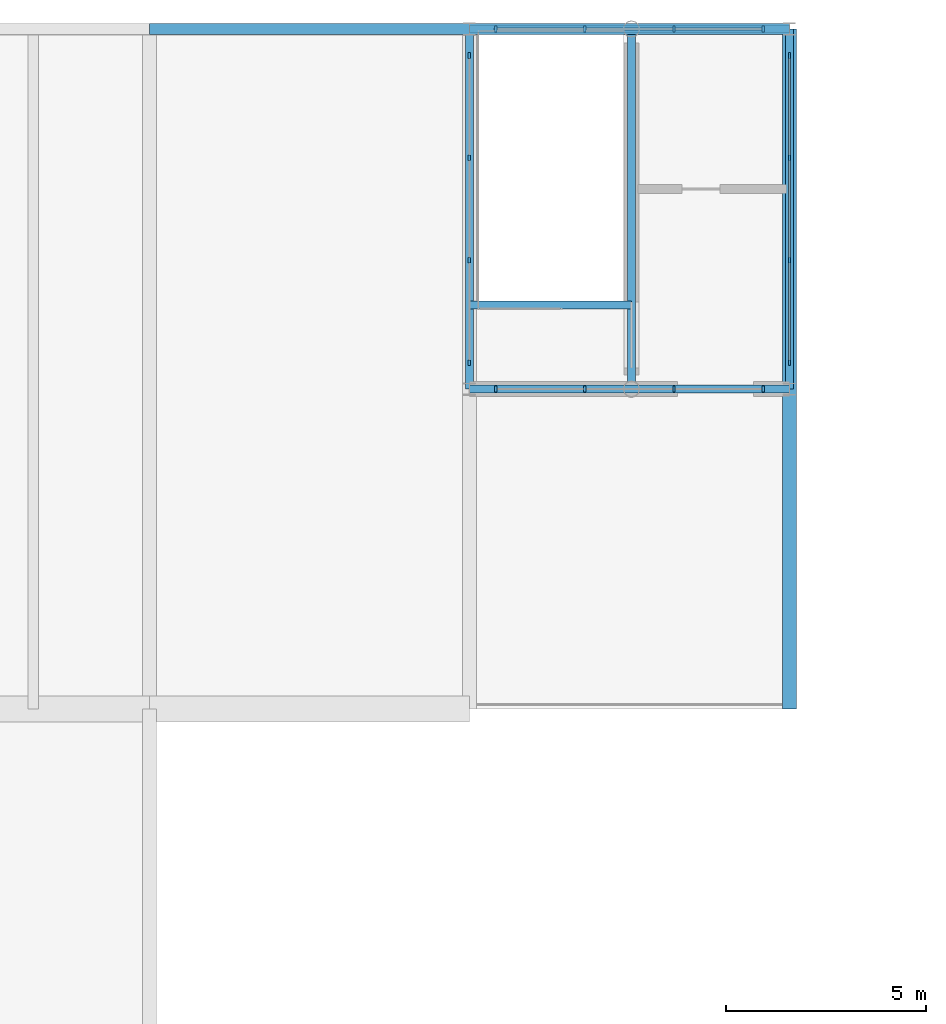
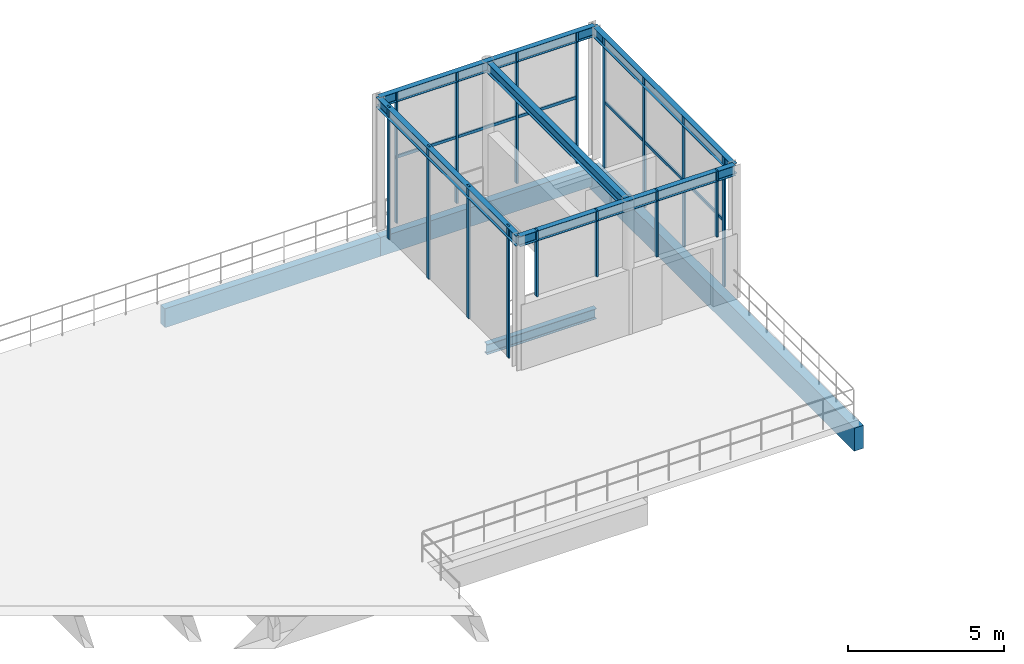
# One storey, part 26 of 50: 18 members, 9 beams, 4 elements without a shape of their own.
"""IFC4 building model written with IfcOpenShell, lengths in metres."""

from ifc_helpers import new_model, si_unit, derived_unit, direction, frame, origin, origin_2d, place, context, subcontext, project, spatial, rectangle, i_section, extrude, material, layer, layer_set, material_profile, profile_set, type_object, element, aggregate, save


model = new_model("IFC4")

# Units and contexts
model_context = context("Model", 3, precision=1e-05, world=origin(), true_north=direction((0.0, 1.0)))
body_context = subcontext(model_context, "Body", "Model", "MODEL_VIEW")
ifc_project = project(units=[si_unit("LENGTHUNIT", "METRE"), si_unit("AREAUNIT", "SQUARE_METRE"), si_unit("VOLUMEUNIT", "CUBIC_METRE"), si_unit("PLANEANGLEUNIT", "RADIAN"), si_unit("MASSUNIT", "GRAM", prefix="KILO"), si_unit("THERMODYNAMICTEMPERATUREUNIT", "KELVIN"), derived_unit("THERMALTRANSMITTANCEUNIT", [(si_unit("POWERUNIT", "WATT"), 1), (si_unit("AREAUNIT", "SQUARE_METRE"), -1), (si_unit("THERMODYNAMICTEMPERATUREUNIT", "KELVIN"), -1)])], contexts=[model_context])

# Site, building, storey
site_placement = place(None, origin())
site = spatial("IfcSite", under=ifc_project, at=site_placement, CompositionType="ELEMENT")
building_placement = place(site_placement, origin())
building = spatial("IfcBuilding", under=site, at=building_placement, Name="Haiyu Intermodal Mobility Hub", CompositionType="ELEMENT")
storey_placement = place(building_placement, frame((0.0, 0.0, 25.10009765625)))
storey = spatial("IfcBuildingStorey", under=building, at=storey_placement, Name="L06", CompositionType="ELEMENT", Elevation=25.10009765625)

# Beams
ifc_material_1 = material(Name="Steel Q355C", Category="steel")
ifc_material_profile_1 = material_profile(ifc_material_1, i_section(OverallWidth=0.199951171875, OverallDepth=0.39990234375, WebThickness=0.008056640625, FlangeThickness=0.012939453125, FilletRadius=0.01611328125, at=origin_2d()), Name="HN400x200x8x13")
ifc_profile_set_1 = profile_set([ifc_material_profile_1], Name="Steel Q355C")
beam_type_1 = type_object("IfcBeamType", Name="BM-SB08", PredefinedType="JOIST", material=ifc_profile_set_1)
beam_1_placement = place(storey_placement, frame((154.0, 141.10009765625, -0.525146484375), z_axis=(1.0, 0.0, 0.0), x_axis=(0.0, 1.0, 0.0)))
element("IfcBeam", 1, at=beam_1_placement, inside=storey, type_object=beam_type_1, Name="Stair Arrival Trimmer Beam C4-L05", PredefinedType="JOIST", context=body_context, shape_type="SweptSolid", body=[
    extrude(i_section(OverallWidth=0.199951171875, OverallDepth=0.39990234375, WebThickness=0.008056640625, FlangeThickness=0.012939453125, FilletRadius=0.01611328125, at=origin_2d()), origin(), (0.0, 0.0, 1.0), 4.050048828125),
])
ifc_material_profile_2 = material_profile(ifc_material_1, i_section(OverallWidth=0.199951171875, OverallDepth=0.39990234375, WebThickness=0.008056640625, FlangeThickness=0.012939453125, FilletRadius=0.01611328125, at=origin_2d()), Name="HN400x200x8x13")
ifc_profile_set_2 = profile_set([ifc_material_profile_2], Name="Steel Q355C")
beam_type_2 = type_object("IfcBeamType", Name="BM-SB08-EXT", PredefinedType="JOIST", material=ifc_profile_set_2)
beam_2_placement = place(storey_placement, frame((154.0, 139.0, 4.97998046875), z_axis=(1.0, 0.0, 0.0), x_axis=(0.0, 1.0, 0.0)))
element("IfcBeam", 2, at=beam_2_placement, inside=storey, type_object=beam_type_2, Name="BM-CORERF-006", PredefinedType="JOIST", context=body_context, shape_type="SweptSolid", body=[
    extrude(i_section(OverallWidth=0.199951171875, OverallDepth=0.39990234375, WebThickness=0.008056640625, FlangeThickness=0.012939453125, FilletRadius=0.01611328125, at=origin_2d()), origin(), (0.0, 0.0, 1.0), 8.0),
])
beam_3_placement = place(storey_placement, frame((162.0, 139.0, 4.97998046875), z_axis=(0.0, 1.0, 0.0), x_axis=(-1.0, 0.0, 0.0)))
element("IfcBeam", 3, at=beam_3_placement, inside=storey, type_object=beam_type_2, Name="BM-CORERF-007", PredefinedType="JOIST", context=body_context, shape_type="SweptSolid", body=[
    extrude(i_section(OverallWidth=0.199951171875, OverallDepth=0.39990234375, WebThickness=0.008056640625, FlangeThickness=0.012939453125, FilletRadius=0.01611328125, at=origin_2d()), origin(), (0.0, 0.0, 1.0), 9.0),
])
beam_4_placement = place(storey_placement, frame((162.0, 148.0, 4.97998046875), z_axis=(-1.0, 0.0, 0.0), x_axis=(0.0, -1.0, 0.0)))
element("IfcBeam", 4, at=beam_4_placement, inside=storey, type_object=beam_type_2, Name="BM-CORERF-008", PredefinedType="JOIST", context=body_context, shape_type="SweptSolid", body=[
    extrude(i_section(OverallWidth=0.199951171875, OverallDepth=0.39990234375, WebThickness=0.008056640625, FlangeThickness=0.012939453125, FilletRadius=0.01611328125, at=origin_2d()), origin(), (0.0, 0.0, 1.0), 8.0),
])
for number, where, z_axis, x_axis, name in (
    (5, (154.0, 148.0, 4.97998046875), (0.0, -1.0, 0.0), (1.0, 0.0, 0.0), "BM-CORERF-009"),
    (6, (158.050048828125, 139.0, 4.97998046875), (0.0, 1.0, 0.0), (-1.0, 0.0, 0.0), "BM-CORERF-010"),
):
    element("IfcBeam", number, at=place(storey_placement, frame(where, z_axis=z_axis, x_axis=x_axis)), inside=storey, type_object=beam_type_2, Name=name, PredefinedType="JOIST", context=body_context, shape_type="SweptSolid", body=[
        extrude(i_section(OverallWidth=0.199951171875, OverallDepth=0.39990234375, WebThickness=0.008056640625, FlangeThickness=0.012939453125, FilletRadius=0.01611328125, at=origin_2d()), origin(), (0.0, 0.0, 1.0), 9.0),
    ])
ifc_material_2 = material(Name="Precast concrete C40", Category="concrete")
ifc_material_profile_3 = material_profile(ifc_material_2, rectangle(XDim=0.340087890625, YDim=0.89990234375, at=origin_2d()), Name="B340x900")
ifc_profile_set_3 = profile_set([ifc_material_profile_3], Name="Precast concrete C40")
beam_type_3 = type_object("IfcBeamType", Name="BM-SP04", PredefinedType="SPANDREL", material=ifc_profile_set_3)
beam_5_placement = place(storey_placement, frame((162.0, 131.0, -0.72998046875), z_axis=(0.0, 1.0, 0.0), x_axis=(-1.0, 0.0, 0.0)))
element("IfcBeam", 7, at=beam_5_placement, inside=storey, type_object=beam_type_3, Name="BM-V4E-L06-016", PredefinedType="SPANDREL", context=body_context, shape_type="SweptSolid", body=[
    extrude(rectangle(XDim=0.340087890625, YDim=0.89990234375, at=origin_2d()), origin(), (0.0, 0.0, 1.0), 17.0),
])
ifc_material_profile_4 = material_profile(ifc_material_2, rectangle(XDim=0.280029296875, YDim=0.739990234375, at=origin_2d()), Name="B280x740")
ifc_profile_set_4 = profile_set([ifc_material_profile_4], Name="Precast concrete C40")
beam_type_4 = type_object("IfcBeamType", Name="BM-SP05", PredefinedType="SPANDREL", material=ifc_profile_set_4)
for number, where, z_axis, x_axis, name in (
    (8, (146.0, 148.0, -0.650146484375), (1.0, 0.0, 0.0), (0.0, 1.0, 0.0), "BM-V4G-L06-055"),
    (9, (154.0, 148.0, -0.650146484375), (1.0, 0.0, 0.0), (0.0, 1.0, 0.0), "BM-V4G-L06-056"),
):
    element("IfcBeam", number, at=place(storey_placement, frame(where, z_axis=z_axis, x_axis=x_axis)), inside=storey, type_object=beam_type_4, Name=name, PredefinedType="SPANDREL", context=body_context, shape_type="SweptSolid", body=[
        extrude(rectangle(XDim=0.280029296875, YDim=0.739990234375, at=origin_2d()), origin(), (0.0, 0.0, 1.0), 8.0),
    ])

# Curtain wall, members
ifc_material_3 = material(Name="Low-e laminated insulating glass", Category="glass")
ifc_layer = layer(ifc_material_3, 0.199951171875)
ifc_layer_set = layer_set([ifc_layer], Name="Low-e laminated insulating glass")
curtain_wall_type = type_object("IfcCurtainWallType", Name="CW-CW03", PredefinedType="NOTDEFINED", material=ifc_layer_set)
curtain_wall_1_placement = place(storey_placement, origin())
curtain_wall_1 = element("IfcCurtainWall", 10, at=curtain_wall_1_placement, inside=storey, type_object=curtain_wall_type, Name="Curtain Wall CW-C4N-L06-075", PredefinedType="NOTDEFINED")
ifc_material_4 = material(Name="Anodised aluminium 6063-T6", Category="aluminium")
ifc_material_profile_5 = material_profile(ifc_material_4, rectangle(XDim=0.06005859375, YDim=0.14501953125, at=origin_2d()), Name="ALU60x145")
ifc_profile_set_5 = profile_set([ifc_material_profile_5], Name="Anodised aluminium 6063-T6")
member_type_1 = type_object("IfcMemberType", Name="CWM-ML03", PredefinedType="MULLION", material=ifc_profile_set_5)
member_1_placement = place(storey_placement, frame((161.340087890625, 148.0, 0.0), z_axis=(0.0, 0.0, 1.0), x_axis=(1.0, 0.0, 0.0)))
member_1 = element("IfcMember", 11, at=member_1_placement, type_object=member_type_1, Name="CW-C4N-L06-075-ML01", PredefinedType="MULLION", context=body_context, shape_type="SweptSolid", body=[
    extrude(rectangle(XDim=0.06005859375, YDim=0.14501953125, at=origin_2d()), origin(), (0.0, 0.0, 1.0), 5.14990234375),
])
member_2_placement = place(storey_placement, frame((159.113037109375, 148.0, 0.0), z_axis=(0.0, 0.0, 1.0), x_axis=(1.0, 0.0, 0.0)))
member_2 = element("IfcMember", 12, at=member_2_placement, type_object=member_type_1, Name="CW-C4N-L06-075-ML02", PredefinedType="MULLION", context=body_context, shape_type="SweptSolid", body=[
    extrude(rectangle(XDim=0.06005859375, YDim=0.14501953125, at=origin_2d()), origin(), (0.0, 0.0, 1.0), 5.14990234375),
])
member_3_placement = place(storey_placement, frame((156.886962890625, 148.0, 0.0), z_axis=(0.0, 0.0, 1.0), x_axis=(1.0, 0.0, 0.0)))
member_3 = element("IfcMember", 13, at=member_3_placement, type_object=member_type_1, Name="CW-C4N-L06-075-ML03", PredefinedType="MULLION", context=body_context, shape_type="SweptSolid", body=[
    extrude(rectangle(XDim=0.06005859375, YDim=0.14501953125, at=origin_2d()), origin(), (0.0, 0.0, 1.0), 5.14990234375),
])
member_4_placement = place(storey_placement, frame((154.659912109375, 148.0, 0.0), z_axis=(0.0, 0.0, 1.0), x_axis=(1.0, 0.0, 0.0)))
member_4 = element("IfcMember", 14, at=member_4_placement, type_object=member_type_1, Name="CW-C4N-L06-075-ML04", PredefinedType="MULLION", context=body_context, shape_type="SweptSolid", body=[
    extrude(rectangle(XDim=0.06005859375, YDim=0.14501953125, at=origin_2d()), origin(), (0.0, 0.0, 1.0), 5.14990234375),
])

curtain_wall_2_placement = place(storey_placement, origin())
curtain_wall_2 = element("IfcCurtainWall", 15, at=curtain_wall_2_placement, inside=storey, type_object=curtain_wall_type, Name="Curtain Wall CW-C4S-L06-076", PredefinedType="NOTDEFINED")
member_5_placement = place(storey_placement, frame((162.0, 139.659912109375, 0.0), z_axis=(0.0, 0.0, 1.0), x_axis=(1.0, 0.0, 0.0)))
member_5 = element("IfcMember", 16, at=member_5_placement, type_object=member_type_1, Name="CW-C4S-L06-076-ML01", PredefinedType="MULLION", context=body_context, shape_type="SweptSolid", body=[
    extrude(rectangle(XDim=0.06005859375, YDim=0.14501953125, at=origin_2d()), origin(), (0.0, 0.0, 1.0), 5.14990234375),
])
member_6_placement = place(storey_placement, frame((162.0, 142.219970703125, 0.0), z_axis=(0.0, 0.0, 1.0), x_axis=(1.0, 0.0, 0.0)))
member_6 = element("IfcMember", 17, at=member_6_placement, type_object=member_type_1, Name="CW-C4S-L06-076-ML02", PredefinedType="MULLION", context=body_context, shape_type="SweptSolid", body=[
    extrude(rectangle(XDim=0.06005859375, YDim=0.14501953125, at=origin_2d()), origin(), (0.0, 0.0, 1.0), 5.14990234375),
])
member_7_placement = place(storey_placement, frame((162.0, 144.780029296875, 0.0), z_axis=(0.0, 0.0, 1.0), x_axis=(1.0, 0.0, 0.0)))
member_7 = element("IfcMember", 18, at=member_7_placement, type_object=member_type_1, Name="CW-C4S-L06-076-ML03", PredefinedType="MULLION", context=body_context, shape_type="SweptSolid", body=[
    extrude(rectangle(XDim=0.06005859375, YDim=0.14501953125, at=origin_2d()), origin(), (0.0, 0.0, 1.0), 5.14990234375),
])
member_8_placement = place(storey_placement, frame((162.0, 147.340087890625, 0.0), z_axis=(0.0, 0.0, 1.0), x_axis=(1.0, 0.0, 0.0)))
member_8 = element("IfcMember", 19, at=member_8_placement, type_object=member_type_1, Name="CW-C4S-L06-076-ML04", PredefinedType="MULLION", context=body_context, shape_type="SweptSolid", body=[
    extrude(rectangle(XDim=0.06005859375, YDim=0.14501953125, at=origin_2d()), origin(), (0.0, 0.0, 1.0), 5.14990234375),
])

curtain_wall_3_placement = place(storey_placement, origin())
curtain_wall_3 = element("IfcCurtainWall", 20, at=curtain_wall_3_placement, inside=storey, type_object=curtain_wall_type, Name="Curtain Wall CW-CGLZ-C4-1", PredefinedType="NOTDEFINED")
member_9_placement = place(storey_placement, frame((154.0, 139.659912109375, 0.0), z_axis=(0.0, 0.0, 1.0), x_axis=(1.0, 0.0, 0.0)))
member_9 = element("IfcMember", 21, at=member_9_placement, type_object=member_type_1, Name="CW-CGLZ-C4-1-ML01", PredefinedType="MULLION", context=body_context, shape_type="SweptSolid", body=[
    extrude(rectangle(XDim=0.06005859375, YDim=0.14501953125, at=origin_2d()), origin(), (0.0, 0.0, 1.0), 5.179931640625),
])
member_10_placement = place(storey_placement, frame((154.0, 142.219970703125, 0.0), z_axis=(0.0, 0.0, 1.0), x_axis=(1.0, 0.0, 0.0)))
member_10 = element("IfcMember", 22, at=member_10_placement, type_object=member_type_1, Name="CW-CGLZ-C4-1-ML02", PredefinedType="MULLION", context=body_context, shape_type="SweptSolid", body=[
    extrude(rectangle(XDim=0.06005859375, YDim=0.14501953125, at=origin_2d()), origin(), (0.0, 0.0, 1.0), 5.179931640625),
])
member_11_placement = place(storey_placement, frame((154.0, 144.780029296875, 0.0), z_axis=(0.0, 0.0, 1.0), x_axis=(1.0, 0.0, 0.0)))
member_11 = element("IfcMember", 23, at=member_11_placement, type_object=member_type_1, Name="CW-CGLZ-C4-1-ML03", PredefinedType="MULLION", context=body_context, shape_type="SweptSolid", body=[
    extrude(rectangle(XDim=0.06005859375, YDim=0.14501953125, at=origin_2d()), origin(), (0.0, 0.0, 1.0), 5.179931640625),
])
member_12_placement = place(storey_placement, frame((154.0, 147.340087890625, 0.0), z_axis=(0.0, 0.0, 1.0), x_axis=(1.0, 0.0, 0.0)))
member_12 = element("IfcMember", 24, at=member_12_placement, type_object=member_type_1, Name="CW-CGLZ-C4-1-ML04", PredefinedType="MULLION", context=body_context, shape_type="SweptSolid", body=[
    extrude(rectangle(XDim=0.06005859375, YDim=0.14501953125, at=origin_2d()), origin(), (0.0, 0.0, 1.0), 5.179931640625),
])
aggregate(curtain_wall_3, [member_9, member_10, member_11, member_12])

curtain_wall_4_placement = place(storey_placement, origin())
curtain_wall_4 = element("IfcCurtainWall", 25, at=curtain_wall_4_placement, inside=storey, type_object=curtain_wall_type, Name="Curtain Wall CW-CGLZ-C4-2", PredefinedType="NOTDEFINED")
member_13_placement = place(storey_placement, frame((154.659912109375, 139.0, 2.579833984375), z_axis=(0.0, 0.0, 1.0), x_axis=(1.0, 0.0, 0.0)))
member_13 = element("IfcMember", 26, at=member_13_placement, type_object=member_type_1, Name="CW-CGLZ-C4-2-ML01", PredefinedType="MULLION", context=body_context, shape_type="SweptSolid", body=[
    extrude(rectangle(XDim=0.06005859375, YDim=0.14501953125, at=origin_2d()), origin(), (0.0, 0.0, 1.0), 2.60009765625),
])
member_14_placement = place(storey_placement, frame((156.886962890625, 139.0, 2.579833984375), z_axis=(0.0, 0.0, 1.0), x_axis=(1.0, 0.0, 0.0)))
member_14 = element("IfcMember", 27, at=member_14_placement, type_object=member_type_1, Name="CW-CGLZ-C4-2-ML02", PredefinedType="MULLION", context=body_context, shape_type="SweptSolid", body=[
    extrude(rectangle(XDim=0.06005859375, YDim=0.14501953125, at=origin_2d()), origin(), (0.0, 0.0, 1.0), 2.60009765625),
])
member_15_placement = place(storey_placement, frame((159.113037109375, 139.0, 2.579833984375), z_axis=(0.0, 0.0, 1.0), x_axis=(1.0, 0.0, 0.0)))
member_15 = element("IfcMember", 28, at=member_15_placement, type_object=member_type_1, Name="CW-CGLZ-C4-2-ML03", PredefinedType="MULLION", context=body_context, shape_type="SweptSolid", body=[
    extrude(rectangle(XDim=0.06005859375, YDim=0.14501953125, at=origin_2d()), origin(), (0.0, 0.0, 1.0), 2.60009765625),
])
member_16_placement = place(storey_placement, frame((161.340087890625, 139.0, 2.579833984375), z_axis=(0.0, 0.0, 1.0), x_axis=(1.0, 0.0, 0.0)))
member_16 = element("IfcMember", 29, at=member_16_placement, type_object=member_type_1, Name="CW-CGLZ-C4-2-ML04", PredefinedType="MULLION", context=body_context, shape_type="SweptSolid", body=[
    extrude(rectangle(XDim=0.06005859375, YDim=0.14501953125, at=origin_2d()), origin(), (0.0, 0.0, 1.0), 2.60009765625),
])
aggregate(curtain_wall_4, [member_13, member_14, member_15, member_16])

# Member
ifc_material_profile_6 = material_profile(ifc_material_4, rectangle(XDim=0.06005859375, YDim=0.114990234375, at=origin_2d()), Name="ALU60x115")
ifc_profile_set_6 = profile_set([ifc_material_profile_6], Name="Anodised aluminium 6063-T6")
member_type_2 = type_object("IfcMemberType", Name="CWM-TR03", PredefinedType="USERDEFINED", material=ifc_profile_set_6)
member_17_placement = place(storey_placement, frame((161.3798828125, 148.0, 2.574951171875), z_axis=(-1.0, 0.0, 0.0), x_axis=(0.0, -1.0, 0.0)))
member_17 = element("IfcMember", 30, at=member_17_placement, type_object=member_type_2, Name="CW-C4N-L06-075-TR01", ObjectType="TRANSOM", PredefinedType="USERDEFINED", context=body_context, shape_type="SweptSolid", body=[
    extrude(rectangle(XDim=0.06005859375, YDim=0.114990234375, at=origin_2d()), origin(), (0.0, 0.0, 1.0), 6.759765625),
])

aggregate(curtain_wall_1, [member_1, member_2, member_3, member_4, member_17])

member_18_placement = place(storey_placement, frame((162.0, 139.6201171875, 2.574951171875), z_axis=(0.0, 1.0, 0.0), x_axis=(-1.0, 0.0, 0.0)))
member_18 = element("IfcMember", 31, at=member_18_placement, type_object=member_type_2, Name="CW-C4S-L06-076-TR01", ObjectType="TRANSOM", PredefinedType="USERDEFINED", context=body_context, shape_type="SweptSolid", body=[
    extrude(rectangle(XDim=0.06005859375, YDim=0.114990234375, at=origin_2d()), origin(), (0.0, 0.0, 1.0), 7.759765625),
])

aggregate(curtain_wall_2, [member_5, member_6, member_7, member_8, member_18])

save(model, "model.ifc")
